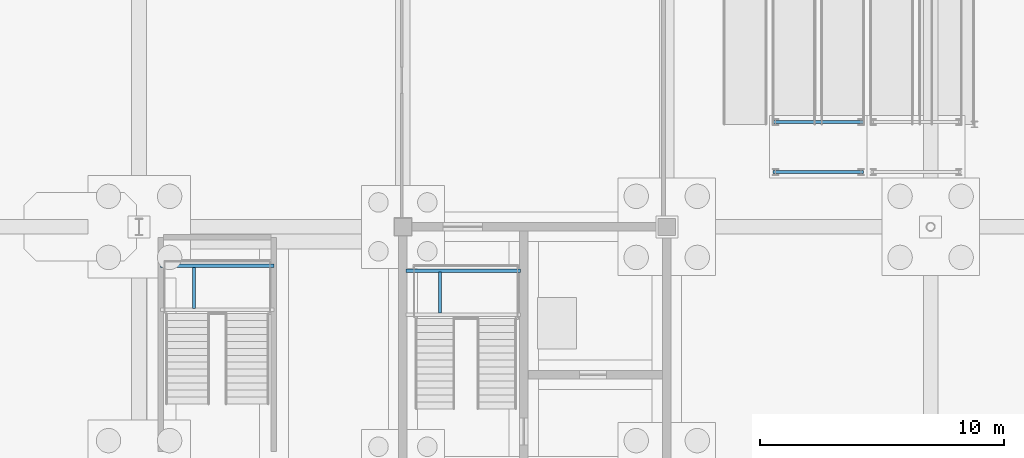
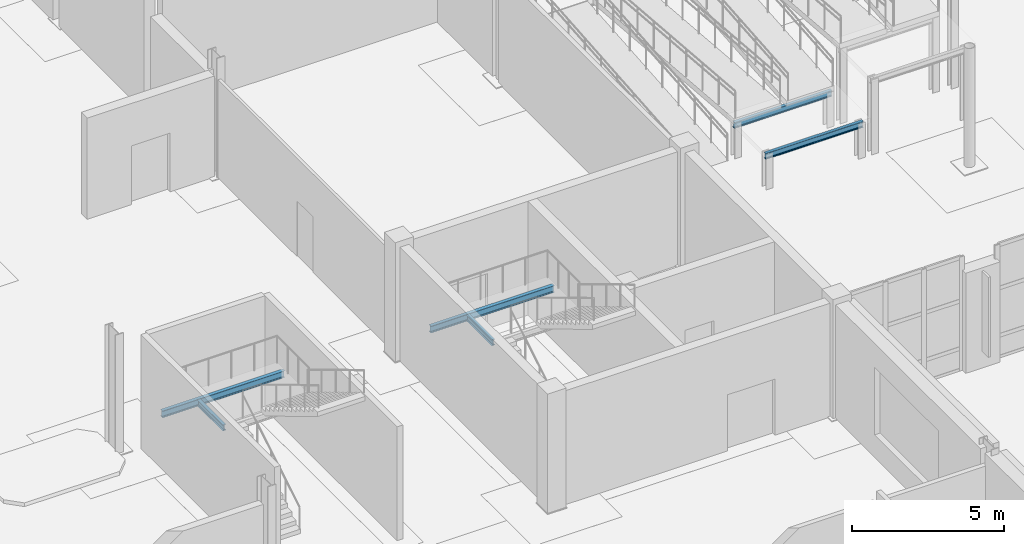
# One storey, part 27 of 73: 6 beams.
"""IFC4 building model written with IfcOpenShell, lengths in metres."""

from ifc_helpers import new_model, si_unit, direction, frame, origin, origin_2d, place, context, subcontext, project, spatial, i_section, extrude, material, material_profile, profile_set, type_object, element, save


model = new_model("IFC4")

# Units and contexts
model_context = context("Model", 3, precision=1e-05, world=origin(), true_north=direction((0.0, 1.0)))
body_context = subcontext(model_context, "Body", "Model", "MODEL_VIEW")
ifc_project = project(units=[si_unit("LENGTHUNIT", "METRE"), si_unit("AREAUNIT", "SQUARE_METRE"), si_unit("VOLUMEUNIT", "CUBIC_METRE"), si_unit("PLANEANGLEUNIT", "RADIAN"), si_unit("MASSUNIT", "GRAM", prefix="KILO")], contexts=[model_context])

# Site, building, storey
site_placement = place(None, origin())
site = spatial("IfcSite", under=ifc_project, at=site_placement, CompositionType="ELEMENT")
building_placement = place(site_placement, origin())
building = spatial("IfcBuilding", under=site, at=building_placement, Name="Tasgan Crest Museum", CompositionType="ELEMENT")
storey_placement = place(building_placement, origin())
storey = spatial("IfcBuildingStorey", under=building, at=storey_placement, Name="L00", CompositionType="ELEMENT", Elevation=0.0)

# Beams
ifc_material_1 = material(Name="Steel S355J2", Category="steel")
ifc_material_profile_1 = material_profile(ifc_material_1, i_section(OverallWidth=0.1201171875, OverallDepth=0.239990234375, WebThickness=0.006103515625, FlangeThickness=0.009765625, FilletRadius=0.014892578125, at=origin_2d()), Name="IPE 240")
ifc_profile_set_1 = profile_set([ifc_material_profile_1], Name="Steel S355J2")
beam_type_1 = type_object("IfcBeamType", Name="BM-LAND-IPE240", PredefinedType="BEAM", material=ifc_profile_set_1)
for number, where, z_axis, x_axis, name in (
    (1, (44.72509765625, 46.465087890625, 2.080078125), (0.0, 1.0, 0.0), (-1.0, 0.0, 0.0), "Stair half-landing crossbeam ST-SW-L00 T1"),
    (2, (34.64990234375, 46.6650390625, 2.080078125), (0.0, 1.0, 0.0), (-1.0, 0.0, 0.0), "Stair half-landing crossbeam ST-GP-L00 T1"),
):
    element("IfcBeam", number, at=place(storey_placement, frame(where, z_axis=z_axis, x_axis=x_axis)), inside=storey, type_object=beam_type_1, Name=name, PredefinedType="BEAM", context=body_context, shape_type="SweptSolid", body=[
        extrude(i_section(OverallWidth=0.1201171875, OverallDepth=0.239990234375, WebThickness=0.006103515625, FlangeThickness=0.009765625, FilletRadius=0.014892578125, at=origin_2d()), origin(), (0.0, 0.0, 1.0), 1.679931640625),
    ])
for number, where, z_axis, x_axis, name in (
    (3, (58.35009765625, 52.25, 1.280029296875), (1.0, 0.0, 0.0), (0.0, 1.0, 0.0), "Ramp landing beam 2S"),
    (4, (58.35009765625, 54.300048828125, 1.280029296875), (1.0, 0.0, 0.0), (0.0, 1.0, 0.0), "Ramp landing beam 2N"),
):
    element("IfcBeam", number, at=place(storey_placement, frame(where, z_axis=z_axis, x_axis=x_axis)), inside=storey, type_object=beam_type_1, Name=name, PredefinedType="BEAM", context=body_context, shape_type="SweptSolid", body=[
        extrude(i_section(OverallWidth=0.1201171875, OverallDepth=0.239990234375, WebThickness=0.006103515625, FlangeThickness=0.009765625, FilletRadius=0.014892578125, at=origin_2d()), origin(), (0.0, 0.0, 1.0), 3.699951171875),
    ])
ifc_material_2 = material(Name="Steel S355J2", Category="steel")
ifc_material_profile_2 = material_profile(ifc_material_2, i_section(OverallWidth=0.135009765625, OverallDepth=0.27001953125, WebThickness=0.006591796875, FlangeThickness=0.01025390625, FilletRadius=0.014892578125, at=origin_2d()), Name="IPE 270")
ifc_profile_set_2 = profile_set([ifc_material_profile_2], Name="Steel S355J2")
beam_type_2 = type_object("IfcBeamType", Name="BM-LAND-IPE270", PredefinedType="BEAM", material=ifc_profile_set_2)
beam_1_placement = place(storey_placement, frame((43.330078125, 48.205078125, 2.06494140625), z_axis=(1.0, 0.0, 0.0), x_axis=(0.0, 1.0, 0.0)))
element("IfcBeam", 5, at=beam_1_placement, inside=storey, type_object=beam_type_2, Name="Stair half-landing beam ST-SW-L00 T1B", PredefinedType="BEAM", context=body_context, shape_type="SweptSolid", body=[
    extrude(i_section(OverallWidth=0.135009765625, OverallDepth=0.27001953125, WebThickness=0.006591796875, FlangeThickness=0.01025390625, FilletRadius=0.014892578125, at=origin_2d()), origin(), (0.0, 0.0, 1.0), 4.68994140625),
])
beam_2_placement = place(storey_placement, frame((33.280029296875, 48.405029296875, 2.06494140625), z_axis=(1.0, 0.0, 0.0), x_axis=(0.0, 1.0, 0.0)))
element("IfcBeam", 6, at=beam_2_placement, inside=storey, type_object=beam_type_2, Name="Stair half-landing beam ST-GP-L00 T1B", PredefinedType="BEAM", context=body_context, shape_type="SweptSolid", body=[
    extrude(i_section(OverallWidth=0.135009765625, OverallDepth=0.27001953125, WebThickness=0.006591796875, FlangeThickness=0.01025390625, FilletRadius=0.014892578125, at=origin_2d()), origin(), (0.0, 0.0, 1.0), 4.639892578125),
])

save(model, "model.ifc")
